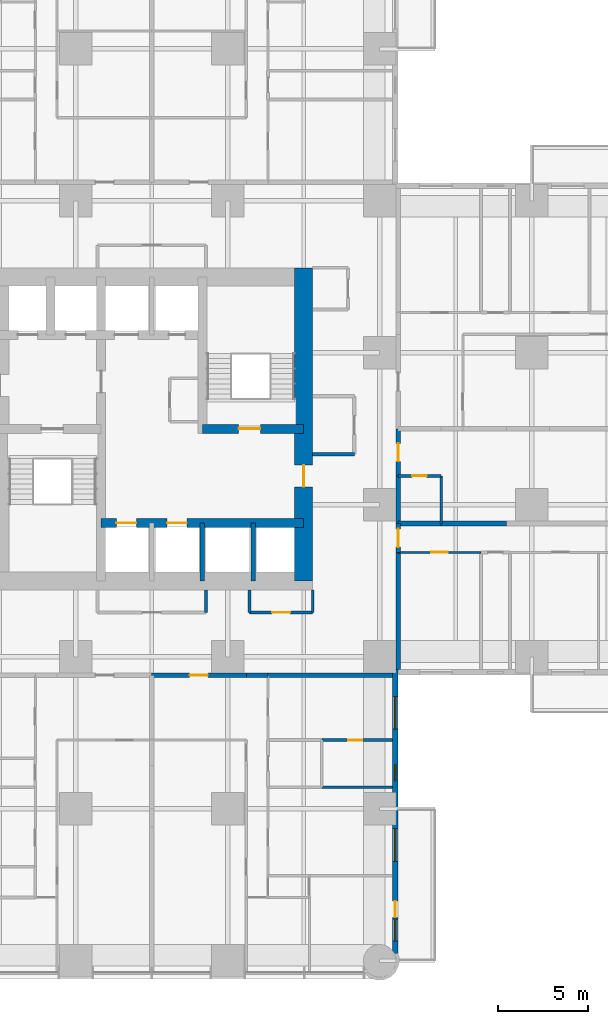
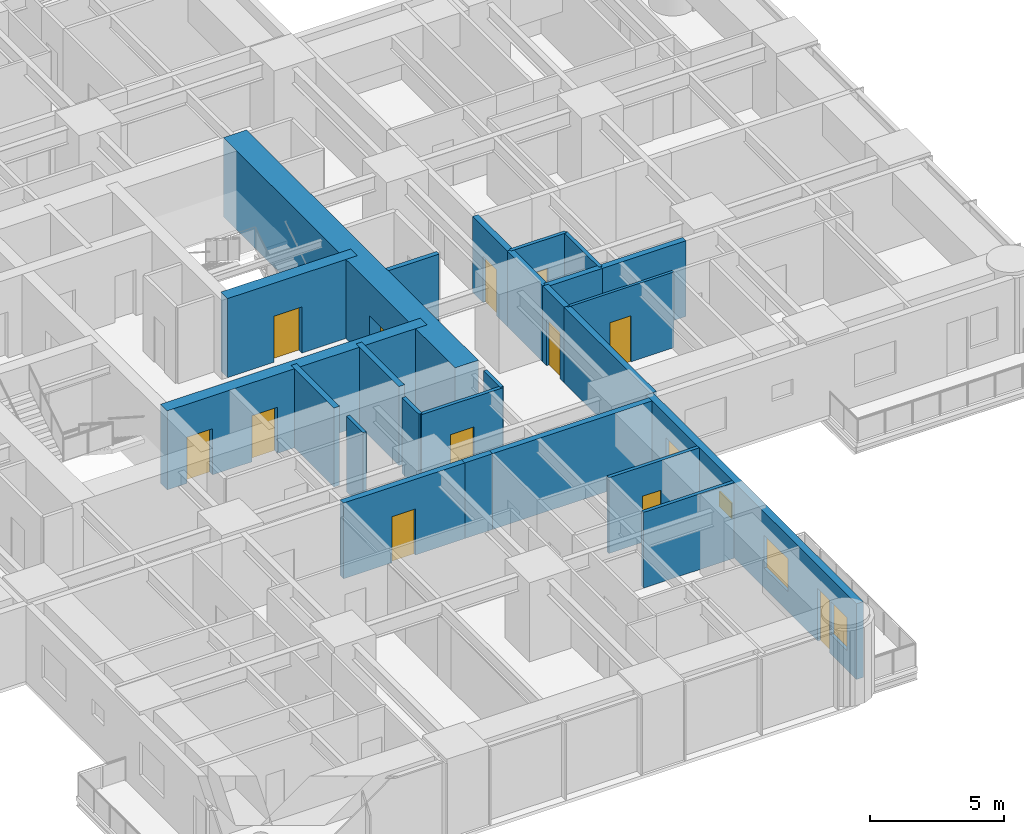
# One storey, part 10 of 17: 25 walls, 12 doors, 4 windows, 16 openings.
"""IFC4 building model written with IfcOpenShell, lengths in metres."""

from ifc_helpers import new_model, si_unit, direction, frame, frame_2d, origin, place, context, subcontext, project, spatial, rectangle, extrude, material, layer, layer_set, type_object, element, fill, save


model = new_model("IFC4")

# Units and contexts
model_context = context("Model", 3, precision=1e-05, world=origin(), true_north=direction((0.0, 1.0)))
body_context = subcontext(model_context, "Body", "Model", "MODEL_VIEW")
ifc_project = project(units=[si_unit("LENGTHUNIT", "METRE"), si_unit("AREAUNIT", "SQUARE_METRE"), si_unit("VOLUMEUNIT", "CUBIC_METRE"), si_unit("PLANEANGLEUNIT", "RADIAN"), si_unit("MASSUNIT", "GRAM", prefix="KILO")], contexts=[model_context])

# Site, building, storey
site_placement = place(None, origin())
site = spatial("IfcSite", under=ifc_project, at=site_placement, CompositionType="ELEMENT")
building_placement = place(site_placement, origin())
building = spatial("IfcBuilding", under=site, at=building_placement, Name="Torre Alcanfor", CompositionType="ELEMENT")
storey_placement = place(building_placement, frame((0.0, 0.0, 52.5)))
storey = spatial("IfcBuildingStorey", under=building, at=storey_placement, Name="L12", CompositionType="ELEMENT", Elevation=52.5)

# Wall, opening, door
ifc_material_1 = material(Name="Concrete block masonry, hollow blocks NMX-C-404 9 MPa", Category="masonry")
ifc_layer_1 = layer(ifc_material_1, 0.25)
ifc_layer_set_1 = layer_set([ifc_layer_1], Name="Apartment entrance wall 250 EI 60")
wall_type_1 = type_object("IfcWallType", Name="Apartment entrance wall 250 EI 60", PredefinedType="PARTITIONING", material=ifc_layer_set_1)
wall_1_placement = place(storey_placement, frame((43.02490234375, 29.39990234375, 0.0), z_axis=(0.0, 0.0, 1.0), x_axis=(0.0, -1.0, 0.0)))
wall_1 = element("IfcWall", 1, at=wall_1_placement, inside=storey, type_object=wall_type_1, Name="Partition L12-CORR / L12-E2A-FOYER", PredefinedType="PARTITIONING", context=body_context, shape_type="SweptSolid", body=[
    extrude(rectangle(XDim=2.599853515625, YDim=0.25, at=frame_2d((1.2998046875, 0.0))), origin(), (0.0, 0.0, 1.0), 3.449951171875),
])
opening_1_placement = place(wall_1_placement, frame((0.800048828125, 0.0, 0.0)))
opening_1 = element("IfcOpeningElement", 2, at=opening_1_placement, cuts=wall_1, Name="Opening D-A1", PredefinedType="OPENING", context=body_context, shape_type="SweptSolid", body=[
    extrude(rectangle(XDim=1.0, YDim=2.10009765625, at=frame_2d((0.5, 1.050048828125))), frame((0.0, 0.135009765625, 0.0), z_axis=(0.0, -1.0, 0.0), x_axis=(1.0, 0.0, 0.0)), (0.0, 0.0, 1.0), 0.27001953125),
])
ifc_material_2 = material(Name="Galvanised steel sheet ASTM A653", Category="steel")
door_type_1 = type_object("IfcDoorType", Name="Apartment entrance door FD60 1000x2100", OperationType="SINGLE_SWING_LEFT", PredefinedType="DOOR", material=ifc_material_2)
door_1_placement = place(opening_1_placement, origin())
door_1 = element("IfcDoor", 3, at=door_1_placement, inside=storey, type_object=door_type_1, Name="Apartment entrance L12-E2A", OperationType="SINGLE_SWING_LEFT", OverallHeight=2.10009765625, OverallWidth=1.0, PredefinedType="DOOR", context=body_context, shape_type="SweptSolid", body=[
    extrude(rectangle(XDim=1.0, YDim=2.10009765625, at=frame_2d((0.5, 1.050048828125))), frame((0.0, 0.02490234375, 0.0), z_axis=(0.0, -1.0, 0.0), x_axis=(1.0, 0.0, 0.0)), (0.0, 0.0, 1.0), 0.050048828125),
])
fill(opening_1, door_1)

# Wall
wall_2_placement = place(storey_placement, frame((43.02490234375, 26.800048828125, 0.0), z_axis=(0.0, 0.0, 1.0), x_axis=(0.0, -1.0, 0.0)))
element("IfcWall", 4, at=wall_2_placement, inside=storey, type_object=wall_type_1, Name="Partition L12-CORR / L12-E2A-BATH", PredefinedType="PARTITIONING", context=body_context, shape_type="SweptSolid", body=[
    extrude(rectangle(XDim=2.629150390625, YDim=0.25, at=frame_2d((1.314453125, 0.0))), origin(), (0.0, 0.0, 1.0), 3.449951171875),
])

# Wall, opening, door
wall_3_placement = place(storey_placement, frame((43.02490234375, 24.1708984375, 0.0), z_axis=(0.0, 0.0, 1.0), x_axis=(0.0, -1.0, 0.0)))
wall_3 = element("IfcWall", 5, at=wall_3_placement, inside=storey, type_object=wall_type_1, Name="Partition L12-CORR / L12-E2B-HALL", PredefinedType="PARTITIONING", context=body_context, shape_type="SweptSolid", body=[
    extrude(rectangle(XDim=1.599853515625, YDim=0.25, at=frame_2d((0.7998046875, 0.0))), origin(), (0.0, 0.0, 1.0), 3.449951171875),
])
opening_2_placement = place(wall_3_placement, frame((0.300048828125, 0.0, 0.0)))
opening_2 = element("IfcOpeningElement", 6, at=opening_2_placement, cuts=wall_3, Name="Opening D-A1", PredefinedType="OPENING", context=body_context, shape_type="SweptSolid", body=[
    extrude(rectangle(XDim=1.0, YDim=2.10009765625, at=frame_2d((0.5, 1.050048828125))), frame((0.0, 0.135009765625, 0.0), z_axis=(0.0, -1.0, 0.0), x_axis=(1.0, 0.0, 0.0)), (0.0, 0.0, 1.0), 0.27001953125),
])
door_2_placement = place(opening_2_placement, origin())
door_2 = element("IfcDoor", 7, at=door_2_placement, inside=storey, type_object=door_type_1, Name="Apartment entrance L12-E2B", OperationType="SINGLE_SWING_LEFT", OverallHeight=2.10009765625, OverallWidth=1.0, PredefinedType="DOOR", context=body_context, shape_type="SweptSolid", body=[
    extrude(rectangle(XDim=1.0, YDim=2.10009765625, at=frame_2d((0.5, 1.050048828125))), frame((0.0, 0.02490234375, 0.0), z_axis=(0.0, -1.0, 0.0), x_axis=(1.0, 0.0, 0.0)), (0.0, 0.0, 1.0), 0.050048828125),
])
fill(opening_2, door_2)

# Wall
wall_4_placement = place(storey_placement, frame((43.02490234375, 22.571044921875, 0.0), z_axis=(0.0, 0.0, 1.0), x_axis=(0.0, -1.0, 0.0)))
element("IfcWall", 8, at=wall_4_placement, inside=storey, type_object=wall_type_1, Name="Partition L12-CORR / L12-E2B-BED2", PredefinedType="PARTITIONING", context=body_context, shape_type="SweptSolid", body=[
    extrude(rectangle(XDim=6.470947265625, YDim=0.25, at=frame_2d((3.2353515625, 0.0))), origin(), (0.0, 0.0, 1.0), 3.449951171875),
])

# Wall, opening, door
wall_5_placement = place(storey_placement, frame((34.62890625, 15.77490234375, 0.0), z_axis=(0.0, 0.0, 1.0), x_axis=(-1.0, 0.0, 0.0)))
wall_5 = element("IfcWall", 9, at=wall_5_placement, inside=storey, type_object=wall_type_1, Name="Partition L12-CORR / L12-S1-ZAG", PredefinedType="PARTITIONING", context=body_context, shape_type="SweptSolid", body=[
    extrude(rectangle(XDim=5.22900390625, YDim=0.25, at=frame_2d((2.614501953125, 0.0))), origin(), (0.0, 0.0, 1.0), 3.449951171875),
])
opening_3_placement = place(wall_5_placement, frame((2.12890625, 0.0, 0.0)))
opening_3 = element("IfcOpeningElement", 10, at=opening_3_placement, cuts=wall_5, Name="Opening D-A1", PredefinedType="OPENING", context=body_context, shape_type="SweptSolid", body=[
    extrude(rectangle(XDim=1.0, YDim=2.10009765625, at=frame_2d((0.5, 1.050048828125))), frame((0.0, 0.135009765625, 0.0), z_axis=(0.0, -1.0, 0.0), x_axis=(1.0, 0.0, 0.0)), (0.0, 0.0, 1.0), 0.27001953125),
])
door_3_placement = place(opening_3_placement, origin())
door_3 = element("IfcDoor", 11, at=door_3_placement, inside=storey, type_object=door_type_1, Name="Apartment entrance L12-S1", OperationType="SINGLE_SWING_RIGHT", OverallHeight=2.10009765625, OverallWidth=1.0, PredefinedType="DOOR", context=body_context, shape_type="SweptSolid", body=[
    extrude(rectangle(XDim=1.0, YDim=2.10009765625, at=frame_2d((0.5, 1.050048828125))), frame((0.0, 0.02490234375, 0.0), z_axis=(0.0, -1.0, 0.0), x_axis=(1.0, 0.0, 0.0)), (0.0, 0.0, 1.0), 0.050048828125),
])
fill(opening_3, door_3)

# Walls
wall_6_placement = place(storey_placement, frame((35.8291015625, 15.77490234375, 0.0), z_axis=(0.0, 0.0, 1.0), x_axis=(-1.0, 0.0, 0.0)))
element("IfcWall", 12, at=wall_6_placement, inside=storey, type_object=wall_type_1, Name="Partition L12-CORR / L12-S1-HALL", PredefinedType="PARTITIONING", context=body_context, shape_type="SweptSolid", body=[
    extrude(rectangle(XDim=1.2001953125, YDim=0.25, at=frame_2d((0.60009765625, 0.0))), origin(), (0.0, 0.0, 1.0), 3.449951171875),
])
wall_7_placement = place(storey_placement, frame((42.699951171875, 15.77490234375, 0.0), z_axis=(0.0, 0.0, 1.0), x_axis=(-1.0, 0.0, 0.0)))
element("IfcWall", 13, at=wall_7_placement, inside=storey, type_object=wall_type_1, Name="Partition L12-CORR / L12-S1-SERV", PredefinedType="PARTITIONING", context=body_context, shape_type="SweptSolid", body=[
    extrude(rectangle(XDim=6.870849609375, YDim=0.25, at=frame_2d((3.435546875, 0.0))), origin(), (0.0, 0.0, 1.0), 3.449951171875),
])

# Wall, opening, door
ifc_material_3 = material(Name="Gypsum board on steel studs", Category="steel")
ifc_layer_2 = layer(ifc_material_3, 0.1201171875)
ifc_layer_set_2 = layer_set([ifc_layer_2], Name="Apartment partition 120")
wall_type_2 = type_object("IfcWallType", Name="Apartment partition 120", PredefinedType="PARTITIONING", material=ifc_layer_set_2)
wall_8_placement = place(storey_placement, frame((47.60009765625, 22.571044921875, 0.0), z_axis=(0.0, 0.0, 1.0), x_axis=(-1.0, 0.0, 0.0)))
wall_8 = element("IfcWall", 14, at=wall_8_placement, inside=storey, type_object=wall_type_2, Name="Partition L12-E2B-HALL / L12-E2B-BED2", PredefinedType="PARTITIONING", context=body_context, shape_type="SweptSolid", body=[
    extrude(rectangle(XDim=4.5751953125, YDim=0.1201171875, at=frame_2d((2.28759765625, 0.0))), origin(), (0.0, 0.0, 1.0), 3.449951171875),
])
opening_4_placement = place(wall_8_placement, frame((1.85009765625, 0.0, 0.0)))
opening_4 = element("IfcOpeningElement", 15, at=opening_4_placement, cuts=wall_8, Name="Opening D-R1", PredefinedType="OPENING", context=body_context, shape_type="SweptSolid", body=[
    extrude(rectangle(XDim=0.89990234375, YDim=2.10009765625, at=frame_2d((0.449951171875, 1.050048828125))), frame((0.0, 0.070068359375, 0.0), z_axis=(0.0, -1.0, 0.0), x_axis=(1.0, 0.0, 0.0)), (0.0, 0.0, 1.0), 0.14013671875),
])
ifc_material_4 = material(Name="Timber", Category="wood")
door_type_2 = type_object("IfcDoorType", Name="Internal door 900x2100", OperationType="SINGLE_SWING_LEFT", PredefinedType="DOOR", material=ifc_material_4)
door_4_placement = place(opening_4_placement, origin())
door_4 = element("IfcDoor", 16, at=door_4_placement, inside=storey, type_object=door_type_2, Name="Door L12-E2B bed2", OperationType="SINGLE_SWING_RIGHT", OverallHeight=2.10009765625, OverallWidth=0.89990234375, PredefinedType="DOOR", context=body_context, shape_type="SweptSolid", body=[
    extrude(rectangle(XDim=0.89990234375, YDim=2.10009765625, at=frame_2d((0.449951171875, 1.050048828125))), frame((0.0, 0.02490234375, 0.0), z_axis=(0.0, -1.0, 0.0), x_axis=(1.0, 0.0, 0.0)), (0.0, 0.0, 1.0), 0.050048828125),
])
fill(opening_4, door_4)

# Wall, openings, doors
ifc_material_5 = material(Name="Concrete f'c 70 MPa", Category="concrete")
ifc_layer_3 = layer(ifc_material_5, 0.5)
ifc_layer_set_3 = layer_set([ifc_layer_3], Name="Core inner wall 500 f'c70")
wall_type_3 = type_object("IfcWallType", Name="Core inner wall 500 f'c70", PredefinedType="SHEAR", material=ifc_layer_set_3)
wall_9_placement = place(storey_placement, frame((26.60009765625, 24.199951171875, 0.0), z_axis=(0.0, 0.0, 1.0), x_axis=(1.0, 0.0, 0.0)))
wall_9 = element("IfcWall", 17, at=wall_9_placement, inside=storey, type_object=wall_type_3, Name="Core wall Y242 L12", PredefinedType="SHEAR", context=body_context, shape_type="SweptSolid", body=[
    extrude(rectangle(XDim=11.199951171875, YDim=0.5, at=frame_2d((5.60009765625, 0.0))), origin(), (0.0, 0.0, 1.0), 3.60009765625),
])
opening_5_placement = place(wall_9_placement, frame((0.85009765625, 0.0, 0.0)))
opening_5 = element("IfcOpeningElement", 18, at=opening_5_placement, cuts=wall_9, Name="Opening LD1", PredefinedType="OPENING", context=body_context, shape_type="SweptSolid", body=[
    extrude(rectangle(XDim=1.10009765625, YDim=2.10009765625, at=frame_2d((0.550048828125, 1.050048828125))), frame((0.0, 0.260009765625, 0.0), z_axis=(0.0, -1.0, 0.0), x_axis=(1.0, 0.0, 0.0)), (0.0, 0.0, 1.0), 0.52001953125),
])
opening_6_placement = place(wall_9_placement, frame((3.64990234375, 0.0, 0.0)))
opening_6 = element("IfcOpeningElement", 19, at=opening_6_placement, cuts=wall_9, Name="Opening LD1", PredefinedType="OPENING", context=body_context, shape_type="SweptSolid", body=[
    extrude(rectangle(XDim=1.10009765625, YDim=2.10009765625, at=frame_2d((0.550048828125, 1.050048828125))), frame((0.0, 0.260009765625, 0.0), z_axis=(0.0, -1.0, 0.0), x_axis=(1.0, 0.0, 0.0)), (0.0, 0.0, 1.0), 0.52001953125),
])
ifc_material_6 = material(Name="Galvanised steel sheet ASTM A653", Category="steel")
door_type_3 = type_object("IfcDoorType", Name="Lift landing door 1100x2100", OperationType="DOUBLE_DOOR_SLIDING", PredefinedType="DOOR", material=ifc_material_6)
door_5_placement = place(opening_5_placement, origin())
door_5 = element("IfcDoor", 20, at=door_5_placement, inside=storey, type_object=door_type_3, Name="Lift landing door PA1 L12", OperationType="DOUBLE_DOOR_SLIDING", OverallHeight=2.10009765625, OverallWidth=1.10009765625, PredefinedType="DOOR", context=body_context, shape_type="SweptSolid", body=[
    extrude(rectangle(XDim=1.10009765625, YDim=2.10009765625, at=frame_2d((0.550048828125, 1.050048828125))), frame((0.0, 0.02490234375, 0.0), z_axis=(0.0, -1.0, 0.0), x_axis=(1.0, 0.0, 0.0)), (0.0, 0.0, 1.0), 0.050048828125),
])
fill(opening_5, door_5)
door_6_placement = place(opening_6_placement, origin())
door_6 = element("IfcDoor", 21, at=door_6_placement, inside=storey, type_object=door_type_3, Name="Lift landing door PA2 L12", OperationType="DOUBLE_DOOR_SLIDING", OverallHeight=2.10009765625, OverallWidth=1.10009765625, PredefinedType="DOOR", context=body_context, shape_type="SweptSolid", body=[
    extrude(rectangle(XDim=1.10009765625, YDim=2.10009765625, at=frame_2d((0.550048828125, 1.050048828125))), frame((0.0, 0.02490234375, 0.0), z_axis=(0.0, -1.0, 0.0), x_axis=(1.0, 0.0, 0.0)), (0.0, 0.0, 1.0), 0.050048828125),
])
fill(opening_6, door_6)

# Wall, opening, door
wall_10_placement = place(storey_placement, frame((32.199951171875, 29.39990234375, 0.0), z_axis=(0.0, 0.0, 1.0), x_axis=(1.0, 0.0, 0.0)))
wall_10 = element("IfcWall", 22, at=wall_10_placement, inside=storey, type_object=wall_type_3, Name="Core wall Y294E L12", PredefinedType="SHEAR", context=body_context, shape_type="SweptSolid", body=[
    extrude(rectangle(XDim=5.60009765625, YDim=0.5, at=frame_2d((2.800048828125, 0.0))), origin(), (0.0, 0.0, 1.0), 3.60009765625),
])
opening_7_placement = place(wall_10_placement, frame((2.0, 0.0, 0.0)))
opening_7 = element("IfcOpeningElement", 23, at=opening_7_placement, cuts=wall_10, Name="Opening D-S2", PredefinedType="OPENING", context=body_context, shape_type="SweptSolid", body=[
    extrude(rectangle(XDim=1.199951171875, YDim=2.10009765625, at=frame_2d((0.60009765625, 1.050048828125))), frame((0.0, 0.260009765625, 0.0), z_axis=(0.0, -1.0, 0.0), x_axis=(1.0, 0.0, 0.0)), (0.0, 0.0, 1.0), 0.52001953125),
])
ifc_material_7 = material(Name="Galvanised steel sheet ASTM A653", Category="steel")
door_type_4 = type_object("IfcDoorType", Name="Stair enclosure door FD120 1200x2100", OperationType="SINGLE_SWING_LEFT", PredefinedType="DOOR", material=ifc_material_7)
door_7_placement = place(opening_7_placement, origin())
door_7 = element("IfcDoor", 24, at=door_7_placement, inside=storey, type_object=door_type_4, Name="Stair S2 door L12", OperationType="SINGLE_SWING_LEFT", OverallHeight=2.10009765625, OverallWidth=1.199951171875, PredefinedType="DOOR", context=body_context, shape_type="SweptSolid", body=[
    extrude(rectangle(XDim=1.199951171875, YDim=2.10009765625, at=frame_2d((0.60009765625, 1.050048828125))), frame((0.0, 0.02490234375, 0.0), z_axis=(0.0, -1.0, 0.0), x_axis=(1.0, 0.0, 0.0)), (0.0, 0.0, 1.0), 0.050048828125),
])
fill(opening_7, door_7)

# Walls
ifc_material_8 = material(Name="Concrete f'c 70 MPa", Category="concrete")
ifc_layer_4 = layer(ifc_material_8, 0.25)
ifc_layer_set_4 = layer_set([ifc_layer_4], Name="Core shaft wall 250 f'c70")
wall_type_4 = type_object("IfcWallType", Name="Core shaft wall 250 f'c70", PredefinedType="SHEAR", material=ifc_layer_set_4)
for number, where, z_axis, x_axis, name in (
    (25, (32.199951171875, 21.0, 0.0), (0.0, 0.0, 1.0), (0.0, 1.0, 0.0), "Core wall X322S L12"),
    (26, (35.0, 21.0, 0.0), (0.0, 0.0, 1.0), (0.0, 1.0, 0.0), "Core wall X350S L12"),
):
    element("IfcWall", number, at=place(storey_placement, frame(where, z_axis=z_axis, x_axis=x_axis)), inside=storey, type_object=wall_type_4, Name=name, PredefinedType="SHEAR", context=body_context, shape_type="SweptSolid", body=[
        extrude(rectangle(XDim=3.199951171875, YDim=0.25, at=frame_2d((1.60009765625, 0.0))), origin(), (0.0, 0.0, 1.0), 3.60009765625),
    ])

# Wall, opening, door
ifc_material_9 = material(Name="Concrete f'c 70 MPa", Category="concrete")
ifc_layer_5 = layer(ifc_material_9, 1.0)
ifc_layer_set_5 = layer_set([ifc_layer_5], Name="Core wall 1000 f'c70")
wall_type_5 = type_object("IfcWallType", Name="Core wall 1000 f'c70", PredefinedType="SHEAR", material=ifc_layer_set_5)
wall_11_placement = place(storey_placement, frame((37.800048828125, 21.0, 0.0), z_axis=(0.0, 0.0, 1.0), x_axis=(0.0, 1.0, 0.0)))
wall_11 = element("IfcWall", 27, at=wall_11_placement, inside=storey, type_object=wall_type_5, Name="Core wall OUT-E L12", PredefinedType="SHEAR", context=body_context, shape_type="SweptSolid", body=[
    extrude(rectangle(XDim=17.300048828125, YDim=1.0, at=frame_2d((8.64990234375, 0.0))), origin(), (0.0, 0.0, 1.0), 3.60009765625),
])
opening_8_placement = place(wall_11_placement, frame((5.199951171875, 0.0, 0.0)))
opening_8 = element("IfcOpeningElement", 28, at=opening_8_placement, cuts=wall_11, Name="Opening D-L1", PredefinedType="OPENING", context=body_context, shape_type="SweptSolid", body=[
    extrude(rectangle(XDim=1.199951171875, YDim=2.10009765625, at=frame_2d((0.60009765625, 1.050048828125))), frame((0.0, 0.510009765625, 0.0), z_axis=(0.0, -1.0, 0.0), x_axis=(1.0, 0.0, 0.0)), (0.0, 0.0, 1.0), 1.02001953125),
])
ifc_material_10 = material(Name="Galvanised steel sheet ASTM A653", Category="steel")
door_type_5 = type_object("IfcDoorType", Name="Lobby door FD120 1200x2100", OperationType="SINGLE_SWING_LEFT", PredefinedType="DOOR", material=ifc_material_10)
door_8_placement = place(opening_8_placement, origin())
door_8 = element("IfcDoor", 29, at=door_8_placement, inside=storey, type_object=door_type_5, Name="Lift lobby entrance door L12", OperationType="SINGLE_SWING_LEFT", OverallHeight=2.10009765625, OverallWidth=1.199951171875, PredefinedType="DOOR", context=body_context, shape_type="SweptSolid", body=[
    extrude(rectangle(XDim=1.199951171875, YDim=2.10009765625, at=frame_2d((0.60009765625, 1.050048828125))), frame((0.0, 0.02490234375, 0.0), z_axis=(0.0, -1.0, 0.0), x_axis=(1.0, 0.0, 0.0)), (0.0, 0.0, 1.0), 0.050048828125),
])
fill(opening_8, door_8)

# Wall, openings, door, windows
ifc_material_11 = material(Name="Limestone cladding", Category="masonry")
ifc_layer_6 = layer(ifc_material_11, 0.0400390625, Name="Facing")
ifc_material_12 = material(Name="Ventilated air cavity")
ifc_layer_7 = layer(ifc_material_12, 0.02001953125, ventilated=True, Name="Ventilated joint")
ifc_material_13 = material(Name="Mineral wool insulation", Category="insulation")
ifc_layer_8 = layer(ifc_material_13, 0.10009765625, Name="Insulation")
ifc_material_14 = material(Name="Concrete f'c 35 MPa", Category="concrete")
ifc_layer_9 = layer(ifc_material_14, 0.139892578125, Name="Backing")
ifc_layer_set_6 = layer_set([ifc_layer_6, ifc_layer_7, ifc_layer_8, ifc_layer_9], Name="External wall stone-clad 300")
wall_type_6 = type_object("IfcWallType", Name="External wall stone-clad 300", PredefinedType="SOLIDWALL", material=ifc_layer_set_6)
wall_12_placement = place(storey_placement, frame((42.85009765625, 0.39990234375, 0.0), z_axis=(0.0, 0.0, 1.0), x_axis=(0.0, 1.0, 0.0)))
wall_12 = element("IfcWall", 30, at=wall_12_placement, inside=storey, type_object=wall_type_6, Name="External wall L12 6", PredefinedType="SOLIDWALL", context=body_context, shape_type="SweptSolid", body=[
    extrude(rectangle(XDim=15.7001953125, YDim=0.300048828125, at=frame_2d((7.85009765625, 0.0))), origin(), (0.0, 0.0, 1.0), 3.449951171875),
])
opening_9_placement = place(wall_12_placement, frame((12.39990234375, 0.0, 0.89990234375)))
opening_9 = element("IfcOpeningElement", 31, at=opening_9_placement, cuts=wall_12, Name="Opening W2", PredefinedType="OPENING", context=body_context, shape_type="SweptSolid", body=[
    extrude(rectangle(XDim=1.800048828125, YDim=1.5, at=frame_2d((0.89990234375, 0.75))), frame((0.0, 0.159912109375, 0.0), z_axis=(0.0, -1.0, 0.0), x_axis=(1.0, 0.0, 0.0)), (0.0, 0.0, 1.0), 0.320068359375),
])
opening_10_placement = place(wall_12_placement, frame((9.550048828125, 0.0, 1.5)))
opening_10 = element("IfcOpeningElement", 32, at=opening_10_placement, cuts=wall_12, Name="Opening W3", PredefinedType="OPENING", context=body_context, shape_type="SweptSolid", body=[
    extrude(rectangle(XDim=0.89990234375, YDim=0.699951171875, at=frame_2d((0.449951171875, 0.35009765625))), frame((0.0, 0.159912109375, 0.0), z_axis=(0.0, -1.0, 0.0), x_axis=(1.0, 0.0, 0.0)), (0.0, 0.0, 1.0), 0.320068359375),
])
opening_11_placement = place(wall_12_placement, frame((5.10009765625, 0.0, 0.89990234375)))
opening_11 = element("IfcOpeningElement", 33, at=opening_11_placement, cuts=wall_12, Name="Opening W2", PredefinedType="OPENING", context=body_context, shape_type="SweptSolid", body=[
    extrude(rectangle(XDim=1.800048828125, YDim=1.5, at=frame_2d((0.89990234375, 0.75))), frame((0.0, 0.159912109375, 0.0), z_axis=(0.0, -1.0, 0.0), x_axis=(1.0, 0.0, 0.0)), (0.0, 0.0, 1.0), 0.320068359375),
])
opening_12_placement = place(wall_12_placement, frame((2.0, 0.0, 0.0)))
opening_12 = element("IfcOpeningElement", 34, at=opening_12_placement, cuts=wall_12, Name="Opening D-B1", PredefinedType="OPENING", context=body_context, shape_type="SweptSolid", body=[
    extrude(rectangle(XDim=0.89990234375, YDim=2.39990234375, at=frame_2d((0.449951171875, 1.199951171875))), frame((0.0, 0.159912109375, 0.0), z_axis=(0.0, -1.0, 0.0), x_axis=(1.0, 0.0, 0.0)), (0.0, 0.0, 1.0), 0.320068359375),
])
opening_13_placement = place(wall_12_placement, frame((0.699951171875, 0.0, 0.89990234375)))
opening_13 = element("IfcOpeningElement", 35, at=opening_13_placement, cuts=wall_12, Name="Opening W4", PredefinedType="OPENING", context=body_context, shape_type="SweptSolid", body=[
    extrude(rectangle(XDim=1.199951171875, YDim=1.5, at=frame_2d((0.60009765625, 0.75))), frame((0.0, 0.159912109375, 0.0), z_axis=(0.0, -1.0, 0.0), x_axis=(1.0, 0.0, 0.0)), (0.0, 0.0, 1.0), 0.320068359375),
])
ifc_material_15 = material(Name="Aluminium and glass", Category="aluminium")
door_type_6 = type_object("IfcDoorType", Name="Balcony door glazed 900x2400", OperationType="SINGLE_SWING_LEFT", PredefinedType="DOOR", material=ifc_material_15)
door_9_placement = place(opening_12_placement, origin())
door_9 = element("IfcDoor", 36, at=door_9_placement, inside=storey, type_object=door_type_6, Name="Balcony door L12-S1", OperationType="SINGLE_SWING_RIGHT", OverallHeight=2.39990234375, OverallWidth=0.89990234375, PredefinedType="DOOR", context=body_context, shape_type="SweptSolid", body=[
    extrude(rectangle(XDim=0.89990234375, YDim=2.39990234375, at=frame_2d((0.449951171875, 1.199951171875))), frame((0.0, 0.02490234375, 0.0), z_axis=(0.0, -1.0, 0.0), x_axis=(1.0, 0.0, 0.0)), (0.0, 0.0, 1.0), 0.050048828125),
])
fill(opening_12, door_9)
ifc_material_16 = material(Name="Aluminium frame with clear double glazing", Category="aluminium")
window_type_1 = type_object("IfcWindowType", Name="Window bathroom 900x700", PartitioningType="SINGLE_PANEL", PredefinedType="WINDOW", material=ifc_material_16)
window_1_placement = place(opening_10_placement, origin())
window_1 = element("IfcWindow", 37, at=window_1_placement, inside=storey, type_object=window_type_1, Name="Window W3 L12-S1", OverallHeight=0.699951171875, OverallWidth=0.89990234375, PartitioningType="SINGLE_PANEL", PredefinedType="WINDOW", context=body_context, shape_type="SweptSolid", body=[
    extrude(rectangle(XDim=0.89990234375, YDim=0.699951171875, at=frame_2d((0.449951171875, 0.35009765625))), frame((0.0, 0.030029296875, 0.0), z_axis=(0.0, -1.0, 0.0), x_axis=(1.0, 0.0, 0.0)), (0.0, 0.0, 1.0), 0.06005859375),
])
fill(opening_10, window_1)
ifc_material_17 = material(Name="Aluminium frame with clear double glazing", Category="aluminium")
window_type_2 = type_object("IfcWindowType", Name="Window bedroom 1200x1500", PartitioningType="SINGLE_PANEL", PredefinedType="WINDOW", material=ifc_material_17)
window_2_placement = place(opening_13_placement, origin())
window_2 = element("IfcWindow", 38, at=window_2_placement, inside=storey, type_object=window_type_2, Name="Window W4 L12-S1", OverallHeight=1.5, OverallWidth=1.199951171875, PartitioningType="SINGLE_PANEL", PredefinedType="WINDOW", context=body_context, shape_type="SweptSolid", body=[
    extrude(rectangle(XDim=1.199951171875, YDim=1.5, at=frame_2d((0.60009765625, 0.75))), frame((0.0, 0.030029296875, 0.0), z_axis=(0.0, -1.0, 0.0), x_axis=(1.0, 0.0, 0.0)), (0.0, 0.0, 1.0), 0.06005859375),
])
fill(opening_13, window_2)
ifc_material_18 = material(Name="Aluminium frame with clear double glazing", Category="aluminium")
window_type_3 = type_object("IfcWindowType", Name="Window bedroom 1800x1500", PartitioningType="SINGLE_PANEL", PredefinedType="WINDOW", material=ifc_material_18)
window_3_placement = place(opening_9_placement, origin())
window_3 = element("IfcWindow", 39, at=window_3_placement, inside=storey, type_object=window_type_3, Name="Window W2 L12-S1", OverallHeight=1.5, OverallWidth=1.800048828125, PartitioningType="SINGLE_PANEL", PredefinedType="WINDOW", context=body_context, shape_type="SweptSolid", body=[
    extrude(rectangle(XDim=1.800048828125, YDim=1.5, at=frame_2d((0.89990234375, 0.75))), frame((0.0, 0.030029296875, 0.0), z_axis=(0.0, -1.0, 0.0), x_axis=(1.0, 0.0, 0.0)), (0.0, 0.0, 1.0), 0.06005859375),
])
fill(opening_9, window_3)
window_4_placement = place(opening_11_placement, origin())
window_4 = element("IfcWindow", 40, at=window_4_placement, inside=storey, type_object=window_type_3, Name="Window W2 L12-S1", OverallHeight=1.5, OverallWidth=1.800048828125, PartitioningType="SINGLE_PANEL", PredefinedType="WINDOW", context=body_context, shape_type="SweptSolid", body=[
    extrude(rectangle(XDim=1.800048828125, YDim=1.5, at=frame_2d((0.89990234375, 0.75))), frame((0.0, 0.030029296875, 0.0), z_axis=(0.0, -1.0, 0.0), x_axis=(1.0, 0.0, 0.0)), (0.0, 0.0, 1.0), 0.06005859375),
])
fill(opening_11, window_4)

# Walls
ifc_material_19 = material(Name="Concrete block masonry, hollow blocks NMX-C-404 9 MPa", Category="masonry")
ifc_layer_10 = layer(ifc_material_19, 0.25)
ifc_layer_set_7 = layer_set([ifc_layer_10], Name="Party wall 250 EI 60")
wall_type_7 = type_object("IfcWallType", Name="Party wall 250 EI 60", PredefinedType="PARTITIONING", material=ifc_layer_set_7)
wall_13_placement = place(storey_placement, frame((45.39990234375, 24.1708984375, 0.0), z_axis=(0.0, 0.0, 1.0), x_axis=(-1.0, 0.0, 0.0)))
element("IfcWall", 41, at=wall_13_placement, inside=storey, type_object=wall_type_7, Name="Partition L12-E2A-BATH / L12-E2B-HALL", PredefinedType="PARTITIONING", context=body_context, shape_type="SweptSolid", body=[
    extrude(rectangle(XDim=2.375, YDim=0.25, at=frame_2d((1.1875, 0.0))), origin(), (0.0, 0.0, 1.0), 3.449951171875),
])
wall_14_placement = place(storey_placement, frame((49.0, 24.1708984375, 0.0), z_axis=(0.0, 0.0, 1.0), x_axis=(-1.0, 0.0, 0.0)))
element("IfcWall", 42, at=wall_14_placement, inside=storey, type_object=wall_type_7, Name="Partition L12-E2A-KITCHEN / L12-E2B-HALL", PredefinedType="PARTITIONING", context=body_context, shape_type="SweptSolid", body=[
    extrude(rectangle(XDim=3.60009765625, YDim=0.25, at=frame_2d((1.800048828125, 0.0))), origin(), (0.0, 0.0, 1.0), 3.449951171875),
])
ifc_material_20 = material(Name="Concrete block masonry, hollow blocks NMX-C-404 9 MPa", Category="masonry")
ifc_layer_11 = layer(ifc_material_20, 0.199951171875)
ifc_layer_set_8 = layer_set([ifc_layer_11], Name="Plant room wall 200 EI 60")
wall_type_8 = type_object("IfcWallType", Name="Plant room wall 200 EI 60", PredefinedType="PARTITIONING", material=ifc_layer_set_8)
wall_15_placement = place(storey_placement, frame((38.300048828125, 28.0, 0.0), z_axis=(0.0, 0.0, 1.0), x_axis=(1.0, 0.0, 0.0)))
element("IfcWall", 43, at=wall_15_placement, inside=storey, type_object=wall_type_8, Name="Partition L12-CORR / L12-G02", PredefinedType="PARTITIONING", context=body_context, shape_type="SweptSolid", body=[
    extrude(rectangle(XDim=2.300048828125, YDim=0.199951171875, at=frame_2d((1.14990234375, 0.0))), origin(), (0.0, 0.0, 1.0), 3.449951171875),
])
ifc_material_21 = material(Name="Concrete block masonry, hollow blocks NMX-C-404 9 MPa", Category="masonry")
ifc_layer_12 = layer(ifc_material_21, 0.14990234375)
ifc_layer_set_9 = layer_set([ifc_layer_12], Name="Residents' room partition 150")
wall_type_9 = type_object("IfcWallType", Name="Residents' room partition 150", PredefinedType="PARTITIONING", material=ifc_layer_set_9)
for number, where, z_axis, x_axis, name in (
    (44, (32.39990234375, 19.25, 0.0), (0.0, 0.0, 1.0), (0.0, 1.0, 0.0), "Partition L12-CORR / L12-G04"),
    (45, (34.800048828125, 20.5, 0.0), (0.0, 0.0, 1.0), (0.0, -1.0, 0.0), "Partition L12-CORR / L12-G05"),
):
    element("IfcWall", number, at=place(storey_placement, frame(where, z_axis=z_axis, x_axis=x_axis)), inside=storey, type_object=wall_type_9, Name=name, PredefinedType="PARTITIONING", context=body_context, shape_type="SweptSolid", body=[
        extrude(rectangle(XDim=1.25, YDim=0.14990234375, at=frame_2d((0.625, 0.0))), origin(), (0.0, 0.0, 1.0), 3.449951171875),
    ])

# Wall, opening, door
wall_16_placement = place(storey_placement, frame((34.800048828125, 19.25, 0.0), z_axis=(0.0, 0.0, 1.0), x_axis=(1.0, 0.0, 0.0)))
wall_16 = element("IfcWall", 46, at=wall_16_placement, inside=storey, type_object=wall_type_9, Name="Partition L12-CORR / L12-G05", PredefinedType="PARTITIONING", context=body_context, shape_type="SweptSolid", body=[
    extrude(rectangle(XDim=3.5, YDim=0.14990234375, at=frame_2d((1.75, 0.0))), origin(), (0.0, 0.0, 1.0), 3.449951171875),
])
opening_14_placement = place(wall_16_placement, frame((1.25, 0.0, 0.0)))
opening_14 = element("IfcOpeningElement", 47, at=opening_14_placement, cuts=wall_16, Name="Opening D-M1", PredefinedType="OPENING", context=body_context, shape_type="SweptSolid", body=[
    extrude(rectangle(XDim=1.0, YDim=2.10009765625, at=frame_2d((0.5, 1.050048828125))), frame((0.0, 0.0849609375, 0.0), z_axis=(0.0, -1.0, 0.0), x_axis=(1.0, 0.0, 0.0)), (0.0, 0.0, 1.0), 0.169921875),
])
ifc_material_22 = material(Name="Timber", Category="wood")
door_type_7 = type_object("IfcDoorType", Name="Residents' room door 1000x2100", OperationType="SINGLE_SWING_LEFT", PredefinedType="DOOR", material=ifc_material_22)
door_10_placement = place(opening_14_placement, origin())
door_10 = element("IfcDoor", 48, at=door_10_placement, inside=storey, type_object=door_type_7, Name="Door L12-G05 residents' storage lockers", OperationType="SINGLE_SWING_LEFT", OverallHeight=2.10009765625, OverallWidth=1.0, PredefinedType="DOOR", context=body_context, shape_type="SweptSolid", body=[
    extrude(rectangle(XDim=1.0, YDim=2.10009765625, at=frame_2d((0.5, 1.050048828125))), frame((0.0, 0.02490234375, 0.0), z_axis=(0.0, -1.0, 0.0), x_axis=(1.0, 0.0, 0.0)), (0.0, 0.0, 1.0), 0.050048828125),
])
fill(opening_14, door_10)

# Wall
wall_17_placement = place(storey_placement, frame((38.300048828125, 19.25, 0.0), z_axis=(0.0, 0.0, 1.0), x_axis=(0.0, 1.0, 0.0)))
element("IfcWall", 49, at=wall_17_placement, inside=storey, type_object=wall_type_9, Name="Partition L12-CORR / L12-G05", PredefinedType="PARTITIONING", context=body_context, shape_type="SweptSolid", body=[
    extrude(rectangle(XDim=1.25, YDim=0.14990234375, at=frame_2d((0.625, 0.0))), origin(), (0.0, 0.0, 1.0), 3.449951171875),
])

# Wall, opening, door
ifc_material_23 = material(Name="Cement board on steel studs", Category="steel")
ifc_layer_13 = layer(ifc_material_23, 0.14990234375)
ifc_layer_set_10 = layer_set([ifc_layer_13], Name="Wet area partition 150")
wall_type_10 = type_object("IfcWallType", Name="Wet area partition 150", PredefinedType="PARTITIONING", material=ifc_layer_set_10)
wall_18_placement = place(storey_placement, frame((45.39990234375, 26.800048828125, 0.0), z_axis=(0.0, 0.0, 1.0), x_axis=(-1.0, 0.0, 0.0)))
wall_18 = element("IfcWall", 50, at=wall_18_placement, inside=storey, type_object=wall_type_10, Name="Partition L12-E2A-FOYER / L12-E2A-BATH", PredefinedType="PARTITIONING", context=body_context, shape_type="SweptSolid", body=[
    extrude(rectangle(XDim=2.375, YDim=0.14990234375, at=frame_2d((1.1875, 0.0))), origin(), (0.0, 0.0, 1.0), 3.449951171875),
])
opening_15_placement = place(wall_18_placement, frame((0.800048828125, 0.0, 0.0)))
opening_15 = element("IfcOpeningElement", 51, at=opening_15_placement, cuts=wall_18, Name="Opening D-R2", PredefinedType="OPENING", context=body_context, shape_type="SweptSolid", body=[
    extrude(rectangle(XDim=0.800048828125, YDim=2.10009765625, at=frame_2d((0.39990234375, 1.050048828125))), frame((0.0, 0.0849609375, 0.0), z_axis=(0.0, -1.0, 0.0), x_axis=(1.0, 0.0, 0.0)), (0.0, 0.0, 1.0), 0.169921875),
])
ifc_material_24 = material(Name="Timber", Category="wood")
door_type_8 = type_object("IfcDoorType", Name="Bathroom door 800x2100", OperationType="SINGLE_SWING_LEFT", PredefinedType="DOOR", material=ifc_material_24)
door_11_placement = place(opening_15_placement, origin())
door_11 = element("IfcDoor", 52, at=door_11_placement, inside=storey, type_object=door_type_8, Name="Door L12-E2A bath", OperationType="SINGLE_SWING_RIGHT", OverallHeight=2.10009765625, OverallWidth=0.800048828125, PredefinedType="DOOR", context=body_context, shape_type="SweptSolid", body=[
    extrude(rectangle(XDim=0.800048828125, YDim=2.10009765625, at=frame_2d((0.39990234375, 1.050048828125))), frame((0.0, 0.02490234375, 0.0), z_axis=(0.0, -1.0, 0.0), x_axis=(1.0, 0.0, 0.0)), (0.0, 0.0, 1.0), 0.050048828125),
])
fill(opening_15, door_11)

# Wall
wall_19_placement = place(storey_placement, frame((45.39990234375, 26.800048828125, 0.0), z_axis=(0.0, 0.0, 1.0), x_axis=(0.0, -1.0, 0.0)))
element("IfcWall", 53, at=wall_19_placement, inside=storey, type_object=wall_type_10, Name="Partition L12-E2A-BATH / L12-E2A-KITCHEN", PredefinedType="PARTITIONING", context=body_context, shape_type="SweptSolid", body=[
    extrude(rectangle(XDim=2.629150390625, YDim=0.14990234375, at=frame_2d((1.314453125, 0.0))), origin(), (0.0, 0.0, 1.0), 3.449951171875),
])

# Wall, opening, door
wall_20_placement = place(storey_placement, frame((38.800048828125, 12.199951171875, 0.0), z_axis=(0.0, 0.0, 1.0), x_axis=(1.0, 0.0, 0.0)))
wall_20 = element("IfcWall", 54, at=wall_20_placement, inside=storey, type_object=wall_type_10, Name="Partition L12-S1-SERV / L12-S1-SBATH", PredefinedType="PARTITIONING", context=body_context, shape_type="SweptSolid", body=[
    extrude(rectangle(XDim=3.89990234375, YDim=0.14990234375, at=frame_2d((1.949951171875, 0.0))), origin(), (0.0, 0.0, 1.0), 3.449951171875),
])
opening_16_placement = place(wall_20_placement, frame((1.449951171875, 0.0, 0.0)))
opening_16 = element("IfcOpeningElement", 55, at=opening_16_placement, cuts=wall_20, Name="Opening D-R2", PredefinedType="OPENING", context=body_context, shape_type="SweptSolid", body=[
    extrude(rectangle(XDim=0.800048828125, YDim=2.10009765625, at=frame_2d((0.39990234375, 1.050048828125))), frame((0.0, 0.0849609375, 0.0), z_axis=(0.0, -1.0, 0.0), x_axis=(1.0, 0.0, 0.0)), (0.0, 0.0, 1.0), 0.169921875),
])
door_12_placement = place(opening_16_placement, frame((0.800048828125, 0.0, 0.0), z_axis=(0.0, 0.0, 1.0), x_axis=(-1.0, 0.0, 0.0)))
door_12 = element("IfcDoor", 56, at=door_12_placement, inside=storey, type_object=door_type_8, Name="Door L12-S1 sbath", OperationType="SINGLE_SWING_RIGHT", OverallHeight=2.10009765625, OverallWidth=0.800048828125, PredefinedType="DOOR", context=body_context, shape_type="SweptSolid", body=[
    extrude(rectangle(XDim=0.800048828125, YDim=2.10009765625, at=frame_2d((0.400146484375, 1.050048828125))), frame((0.0, 0.025146484375, 0.0), z_axis=(0.0, -1.0, 0.0), x_axis=(1.0, 0.0, 0.0)), (0.0, 0.0, 1.0), 0.050048828125),
])
fill(opening_16, door_12)

# Wall
wall_21_placement = place(storey_placement, frame((38.800048828125, 9.60009765625, 0.0), z_axis=(0.0, 0.0, 1.0), x_axis=(1.0, 0.0, 0.0)))
element("IfcWall", 57, at=wall_21_placement, inside=storey, type_object=wall_type_10, Name="Partition L12-S1-SBATH / L12-S1-BED3", PredefinedType="PARTITIONING", context=body_context, shape_type="SweptSolid", body=[
    extrude(rectangle(XDim=3.89990234375, YDim=0.14990234375, at=frame_2d((1.949951171875, 0.0))), origin(), (0.0, 0.0, 1.0), 3.449951171875),
])

save(model, "model.ifc")
